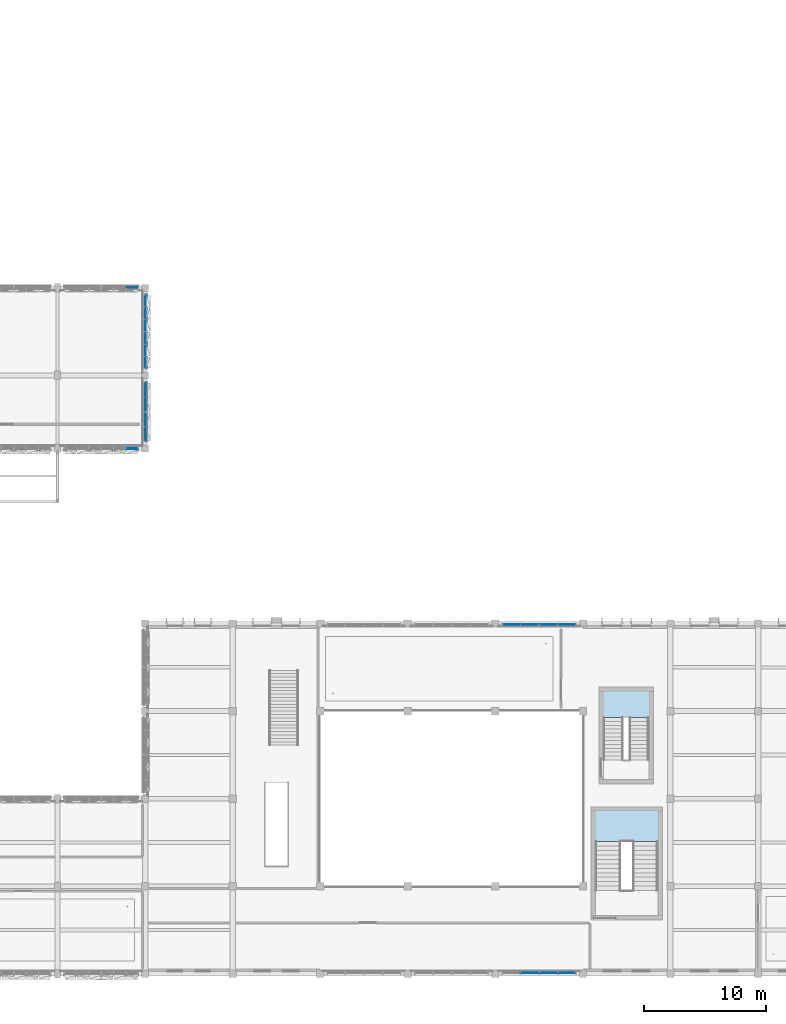
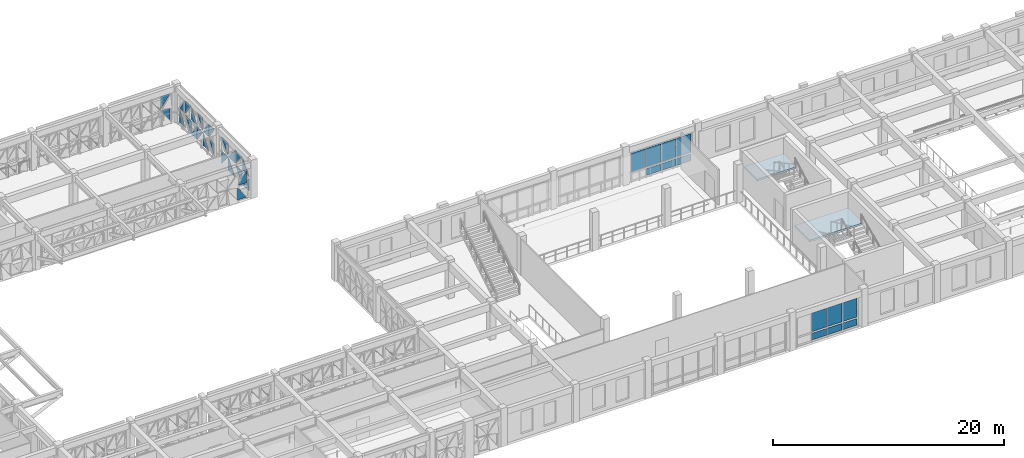
# One storey, part 37 of 88: 37 plates, 2 slabs, 8 elements without a shape of their own.
"""IFC4 building model written with IfcOpenShell, lengths in metres."""

from ifc_helpers import new_model, si_unit, direction, frame, origin, origin_2d, place, context, subcontext, project, spatial, polyline, rectangle, outline, extrude, material, layer, layer_set, type_object, element, aggregate, save


model = new_model("IFC4")

# Units and contexts
model_context = context("Model", 3, precision=1e-05, world=origin(), true_north=direction((0.0, 1.0)))
body_context = subcontext(model_context, "Body", "Model", "MODEL_VIEW")
ifc_project = project(units=[si_unit("LENGTHUNIT", "METRE"), si_unit("AREAUNIT", "SQUARE_METRE"), si_unit("VOLUMEUNIT", "CUBIC_METRE"), si_unit("PLANEANGLEUNIT", "RADIAN"), si_unit("MASSUNIT", "GRAM", prefix="KILO")], contexts=[model_context])

# Site, building, storey
site_placement = place(None, origin())
site = spatial("IfcSite", under=ifc_project, at=site_placement, CompositionType="ELEMENT")
building_placement = place(site_placement, origin())
building = spatial("IfcBuilding", under=site, at=building_placement, Name="Alvorim Cloister Faculty of Sciences", CompositionType="ELEMENT")
storey_placement = place(building_placement, frame((0.0, 0.0, 4.5)))
storey = spatial("IfcBuildingStorey", under=building, at=storey_placement, Name="L01", CompositionType="ELEMENT", Elevation=4.5)

# Curtain wall, plates
ifc_material_1 = material(Name="Aluminium and Low-E Glass Curtain Wall", Category="aluminium")
curtain_wall_type_1 = type_object("IfcCurtainWallType", Name="CW-TRI-6120x3170", PredefinedType="USERDEFINED", material=ifc_material_1)
curtain_wall_1_placement = place(storey_placement, origin())
curtain_wall_1 = element("IfcCurtainWall", 1, at=curtain_wall_1_placement, inside=storey, type_object=curtain_wall_type_1, Name="L01 Diagonal Cassette Curtain Wall CW-0016", ObjectType="UNITISED CURTAIN WALL", PredefinedType="USERDEFINED")
ifc_material_2 = material(Name="Double Low-E Laminated Glass", Category="glass")
ifc_layer_1 = layer(ifc_material_2, 0.0400390625)
ifc_layer_set_1 = layer_set([ifc_layer_1], Name="Double Low-E Laminated Glass")
plate_type = type_object("IfcPlateType", Name="PN-GLZ-40", PredefinedType="CURTAIN_PANEL", material=ifc_layer_set_1)
plate_1_placement = place(storey_placement, frame((63.277587890625, 56.425048828125, 0.159912109375), z_axis=(0.0, 0.0, 1.0), x_axis=(1.0, 0.0, 0.0)))
plate_1 = element("IfcPlate", 2, at=plate_1_placement, type_object=plate_type, Name="Diagonal Glazed Triangle TRI-TR", PredefinedType="CURTAIN_PANEL", context=body_context, shape_type="SweptSolid", body=[
    extrude(outline(polyline([(0.907470703125, 0.001953125), (0.907470703125, 1.344970703125), (0.001953125, 1.344970703125), (0.907470703125, 0.001953125)])), frame((0.0, 0.02490234375, 0.0), z_axis=(0.0, -1.0, 0.0), x_axis=(1.0, 0.0, 0.0)), (0.0, 0.0, 1.0), 0.050048828125),
])
plate_2_placement = place(storey_placement, frame((63.277587890625, 56.425048828125, 1.6650390625), z_axis=(0.0, 0.0, 1.0), x_axis=(1.0, 0.0, 0.0)))
plate_2 = element("IfcPlate", 3, at=plate_2_placement, type_object=plate_type, Name="Diagonal Glazed Triangle TRI-TL", PredefinedType="CURTAIN_PANEL", context=body_context, shape_type="SweptSolid", body=[
    extrude(outline(polyline([(0.905517578125, 1.344970703125), (0.0, 1.344970703125), (0.0, 0.001953125), (0.905517578125, 1.344970703125)])), frame((0.0, 0.02490234375, 0.0), z_axis=(0.0, -1.0, 0.0), x_axis=(1.0, 0.0, 0.0)), (0.0, 0.0, 1.0), 0.050048828125),
])
aggregate(curtain_wall_1, [plate_1, plate_2])

curtain_wall_2_placement = place(storey_placement, origin())
curtain_wall_2 = element("IfcCurtainWall", 4, at=curtain_wall_2_placement, inside=storey, type_object=curtain_wall_type_1, Name="L01 Diagonal Cassette Curtain Wall CW-0017", ObjectType="UNITISED CURTAIN WALL", PredefinedType="USERDEFINED")
plate_3_placement = place(storey_placement, frame((64.824951171875, 49.81494140625, 0.159912109375), z_axis=(0.0, 0.0, 1.0), x_axis=(0.0, 1.0, 0.0)))
plate_3 = element("IfcPlate", 5, at=plate_3_placement, type_object=plate_type, Name="Diagonal Glazed Triangle TRI-TL", PredefinedType="CURTAIN_PANEL", context=body_context, shape_type="SweptSolid", body=[
    extrude(outline(polyline([(0.905517578125, 1.344970703125), (0.0, 1.344970703125), (0.0, 0.001953125), (0.905517578125, 1.344970703125)])), frame((0.0, 0.02490234375, 0.0), z_axis=(0.0, -1.0, 0.0), x_axis=(1.0, 0.0, 0.0)), (0.0, 0.0, 1.0), 0.050048828125),
])
plate_4_placement = place(storey_placement, frame((64.824951171875, 49.81494140625, 1.6650390625), z_axis=(0.0, 0.0, 1.0), x_axis=(0.0, 1.0, 0.0)))
plate_4 = element("IfcPlate", 6, at=plate_4_placement, type_object=plate_type, Name="Diagonal Glazed Triangle TRI-TR", PredefinedType="CURTAIN_PANEL", context=body_context, shape_type="SweptSolid", body=[
    extrude(outline(polyline([(0.907470703125, 0.001953125), (0.907470703125, 1.344970703125), (0.001953125, 1.344970703125), (0.907470703125, 0.001953125)])), frame((0.0, 0.02490234375, 0.0), z_axis=(0.0, -1.0, 0.0), x_axis=(1.0, 0.0, 0.0)), (0.0, 0.0, 1.0), 0.050048828125),
])
plate_5_placement = place(storey_placement, frame((64.824951171875, 50.797607421875, 0.159912109375), z_axis=(0.0, 0.0, 1.0), x_axis=(0.0, 1.0, 0.0)))
plate_5 = element("IfcPlate", 7, at=plate_5_placement, type_object=plate_type, Name="Diagonal Glazed Triangle TRI-BR", PredefinedType="CURTAIN_PANEL", context=body_context, shape_type="SweptSolid", body=[
    extrude(outline(polyline([(0.001953125, 0.0), (0.945068359375, 0.0), (0.945068359375, 1.343017578125), (0.001953125, 0.0)])), frame((0.0, 0.02490234375, 0.0), z_axis=(0.0, -1.0, 0.0), x_axis=(1.0, 0.0, 0.0)), (0.0, 0.0, 1.0), 0.050048828125),
])
plate_6_placement = place(storey_placement, frame((64.824951171875, 50.797607421875, 1.6650390625), z_axis=(0.0, 0.0, 1.0), x_axis=(0.0, 1.0, 0.0)))
plate_6 = element("IfcPlate", 8, at=plate_6_placement, type_object=plate_type, Name="Diagonal Glazed Triangle TRI-BL", PredefinedType="CURTAIN_PANEL", context=body_context, shape_type="SweptSolid", body=[
    extrude(outline(polyline([(0.0, 0.0), (0.943115234375, 0.0), (0.0, 1.343017578125), (0.0, 0.0)])), frame((0.0, 0.02490234375, 0.0), z_axis=(0.0, -1.0, 0.0), x_axis=(1.0, 0.0, 0.0)), (0.0, 0.0, 1.0), 0.050048828125),
])
plate_7_placement = place(storey_placement, frame((64.824951171875, 51.8173828125, 0.159912109375), z_axis=(0.0, 0.0, 1.0), x_axis=(0.0, 1.0, 0.0)))
plate_7 = element("IfcPlate", 9, at=plate_7_placement, type_object=plate_type, Name="Diagonal Glazed Triangle TRI-TR", PredefinedType="CURTAIN_PANEL", context=body_context, shape_type="SweptSolid", body=[
    extrude(outline(polyline([(0.945068359375, 0.001953125), (0.945068359375, 1.344970703125), (0.001953125, 1.344970703125), (0.945068359375, 0.001953125)])), frame((0.0, 0.02490234375, 0.0), z_axis=(0.0, -1.0, 0.0), x_axis=(1.0, 0.0, 0.0)), (0.0, 0.0, 1.0), 0.050048828125),
])
plate_8_placement = place(storey_placement, frame((64.824951171875, 51.8173828125, 1.6650390625), z_axis=(0.0, 0.0, 1.0), x_axis=(0.0, 1.0, 0.0)))
plate_8 = element("IfcPlate", 10, at=plate_8_placement, type_object=plate_type, Name="Diagonal Glazed Triangle TRI-TL", PredefinedType="CURTAIN_PANEL", context=body_context, shape_type="SweptSolid", body=[
    extrude(outline(polyline([(0.943115234375, 1.344970703125), (0.0, 1.344970703125), (0.0, 0.001953125), (0.943115234375, 1.344970703125)])), frame((0.0, 0.02490234375, 0.0), z_axis=(0.0, -1.0, 0.0), x_axis=(1.0, 0.0, 0.0)), (0.0, 0.0, 1.0), 0.050048828125),
])
plate_9_placement = place(storey_placement, frame((64.824951171875, 52.83740234375, 0.159912109375), z_axis=(0.0, 0.0, 1.0), x_axis=(0.0, 1.0, 0.0)))
plate_9 = element("IfcPlate", 11, at=plate_9_placement, type_object=plate_type, Name="Diagonal Glazed Triangle TRI-BL", PredefinedType="CURTAIN_PANEL", context=body_context, shape_type="SweptSolid", body=[
    extrude(outline(polyline([(0.0, 0.0), (0.943115234375, 0.0), (0.0, 1.343017578125), (0.0, 0.0)])), frame((0.0, 0.02490234375, 0.0), z_axis=(0.0, -1.0, 0.0), x_axis=(1.0, 0.0, 0.0)), (0.0, 0.0, 1.0), 0.050048828125),
])
plate_10_placement = place(storey_placement, frame((64.824951171875, 52.83740234375, 1.6650390625), z_axis=(0.0, 0.0, 1.0), x_axis=(0.0, 1.0, 0.0)))
plate_10 = element("IfcPlate", 12, at=plate_10_placement, type_object=plate_type, Name="Diagonal Glazed Triangle TRI-BR", PredefinedType="CURTAIN_PANEL", context=body_context, shape_type="SweptSolid", body=[
    extrude(outline(polyline([(0.001953125, 0.0), (0.945068359375, 0.0), (0.945068359375, 1.343017578125), (0.001953125, 0.0)])), frame((0.0, 0.02490234375, 0.0), z_axis=(0.0, -1.0, 0.0), x_axis=(1.0, 0.0, 0.0)), (0.0, 0.0, 1.0), 0.050048828125),
])
plate_11_placement = place(storey_placement, frame((64.824951171875, 53.857421875, 0.159912109375), z_axis=(0.0, 0.0, 1.0), x_axis=(0.0, 1.0, 0.0)))
plate_11 = element("IfcPlate", 13, at=plate_11_placement, type_object=plate_type, Name="Diagonal Glazed Triangle TRI-TL", PredefinedType="CURTAIN_PANEL", context=body_context, shape_type="SweptSolid", body=[
    extrude(outline(polyline([(0.943115234375, 1.344970703125), (0.0, 1.344970703125), (0.0, 0.001953125), (0.943115234375, 1.344970703125)])), frame((0.0, 0.02490234375, 0.0), z_axis=(0.0, -1.0, 0.0), x_axis=(1.0, 0.0, 0.0)), (0.0, 0.0, 1.0), 0.050048828125),
])
plate_12_placement = place(storey_placement, frame((64.824951171875, 53.857421875, 1.6650390625), z_axis=(0.0, 0.0, 1.0), x_axis=(0.0, 1.0, 0.0)))
plate_12 = element("IfcPlate", 14, at=plate_12_placement, type_object=plate_type, Name="Diagonal Glazed Triangle TRI-TR", PredefinedType="CURTAIN_PANEL", context=body_context, shape_type="SweptSolid", body=[
    extrude(outline(polyline([(0.945068359375, 0.001953125), (0.945068359375, 1.344970703125), (0.001953125, 1.344970703125), (0.945068359375, 0.001953125)])), frame((0.0, 0.02490234375, 0.0), z_axis=(0.0, -1.0, 0.0), x_axis=(1.0, 0.0, 0.0)), (0.0, 0.0, 1.0), 0.050048828125),
])
plate_13_placement = place(storey_placement, frame((64.824951171875, 54.87744140625, 0.159912109375), z_axis=(0.0, 0.0, 1.0), x_axis=(0.0, 1.0, 0.0)))
plate_13 = element("IfcPlate", 15, at=plate_13_placement, type_object=plate_type, Name="Diagonal Glazed Triangle TRI-BR", PredefinedType="CURTAIN_PANEL", context=body_context, shape_type="SweptSolid", body=[
    extrude(outline(polyline([(0.001953125, 0.0), (0.907470703125, 0.0), (0.907470703125, 1.343017578125), (0.001953125, 0.0)])), frame((0.0, 0.02490234375, 0.0), z_axis=(0.0, -1.0, 0.0), x_axis=(1.0, 0.0, 0.0)), (0.0, 0.0, 1.0), 0.050048828125),
])
plate_14_placement = place(storey_placement, frame((64.824951171875, 54.87744140625, 1.6650390625), z_axis=(0.0, 0.0, 1.0), x_axis=(0.0, 1.0, 0.0)))
plate_14 = element("IfcPlate", 16, at=plate_14_placement, type_object=plate_type, Name="Diagonal Glazed Triangle TRI-BL", PredefinedType="CURTAIN_PANEL", context=body_context, shape_type="SweptSolid", body=[
    extrude(outline(polyline([(0.0, 0.0), (0.905517578125, 0.0), (0.0, 1.343017578125), (0.0, 0.0)])), frame((0.0, 0.02490234375, 0.0), z_axis=(0.0, -1.0, 0.0), x_axis=(1.0, 0.0, 0.0)), (0.0, 0.0, 1.0), 0.050048828125),
])
aggregate(curtain_wall_2, [plate_3, plate_4, plate_5, plate_6, plate_7, plate_8, plate_9, plate_10, plate_11, plate_12, plate_13, plate_14])

curtain_wall_type_2 = type_object("IfcCurtainWallType", Name="CW-TRI-4920x3170", PredefinedType="USERDEFINED", material=ifc_material_1)
curtain_wall_3_placement = place(storey_placement, origin())
curtain_wall_3 = element("IfcCurtainWall", 17, at=curtain_wall_3_placement, inside=storey, type_object=curtain_wall_type_2, Name="L01 Diagonal Cassette Curtain Wall CW-0018", ObjectType="UNITISED CURTAIN WALL", PredefinedType="USERDEFINED")
plate_15_placement = place(storey_placement, frame((64.824951171875, 43.81494140625, 0.159912109375), z_axis=(0.0, 0.0, 1.0), x_axis=(0.0, 1.0, 0.0)))
plate_15 = element("IfcPlate", 18, at=plate_15_placement, type_object=plate_type, Name="Diagonal Glazed Triangle TRI-BL", PredefinedType="CURTAIN_PANEL", context=body_context, shape_type="SweptSolid", body=[
    extrude(outline(polyline([(0.0, 0.0), (1.115478515625, 0.0), (0.0, 1.343017578125), (0.0, 0.0)])), frame((0.0, 0.02490234375, 0.0), z_axis=(0.0, -1.0, 0.0), x_axis=(1.0, 0.0, 0.0)), (0.0, 0.0, 1.0), 0.050048828125),
])
plate_16_placement = place(storey_placement, frame((64.824951171875, 43.81494140625, 1.6650390625), z_axis=(0.0, 0.0, 1.0), x_axis=(0.0, 1.0, 0.0)))
plate_16 = element("IfcPlate", 19, at=plate_16_placement, type_object=plate_type, Name="Diagonal Glazed Triangle TRI-BR", PredefinedType="CURTAIN_PANEL", context=body_context, shape_type="SweptSolid", body=[
    extrude(outline(polyline([(0.001953125, 0.0), (1.117431640625, 0.0), (1.117431640625, 1.343017578125), (0.001953125, 0.0)])), frame((0.0, 0.02490234375, 0.0), z_axis=(0.0, -1.0, 0.0), x_axis=(1.0, 0.0, 0.0)), (0.0, 0.0, 1.0), 0.050048828125),
])
plate_17_placement = place(storey_placement, frame((64.824951171875, 45.007568359375, 0.159912109375), z_axis=(0.0, 0.0, 1.0), x_axis=(0.0, 1.0, 0.0)))
plate_17 = element("IfcPlate", 20, at=plate_17_placement, type_object=plate_type, Name="Diagonal Glazed Triangle TRI-TL", PredefinedType="CURTAIN_PANEL", context=body_context, shape_type="SweptSolid", body=[
    extrude(outline(polyline([(1.153076171875, 1.344970703125), (0.0, 1.344970703125), (0.0, 0.001953125), (1.153076171875, 1.344970703125)])), frame((0.0, 0.02490234375, 0.0), z_axis=(0.0, -1.0, 0.0), x_axis=(1.0, 0.0, 0.0)), (0.0, 0.0, 1.0), 0.050048828125),
])
plate_18_placement = place(storey_placement, frame((64.824951171875, 45.007568359375, 1.6650390625), z_axis=(0.0, 0.0, 1.0), x_axis=(0.0, 1.0, 0.0)))
plate_18 = element("IfcPlate", 21, at=plate_18_placement, type_object=plate_type, Name="Diagonal Glazed Triangle TRI-TR", PredefinedType="CURTAIN_PANEL", context=body_context, shape_type="SweptSolid", body=[
    extrude(outline(polyline([(1.155029296875, 0.001953125), (1.155029296875, 1.344970703125), (0.001953125, 1.344970703125), (1.155029296875, 0.001953125)])), frame((0.0, 0.02490234375, 0.0), z_axis=(0.0, -1.0, 0.0), x_axis=(1.0, 0.0, 0.0)), (0.0, 0.0, 1.0), 0.050048828125),
])
plate_19_placement = place(storey_placement, frame((64.824951171875, 46.237548828125, 0.159912109375), z_axis=(0.0, 0.0, 1.0), x_axis=(0.0, 1.0, 0.0)))
plate_19 = element("IfcPlate", 22, at=plate_19_placement, type_object=plate_type, Name="Diagonal Glazed Triangle TRI-BR", PredefinedType="CURTAIN_PANEL", context=body_context, shape_type="SweptSolid", body=[
    extrude(outline(polyline([(0.001953125, 0.0), (1.155029296875, 0.0), (1.155029296875, 1.343017578125), (0.001953125, 0.0)])), frame((0.0, 0.02490234375, 0.0), z_axis=(0.0, -1.0, 0.0), x_axis=(1.0, 0.0, 0.0)), (0.0, 0.0, 1.0), 0.050048828125),
])
plate_20_placement = place(storey_placement, frame((64.824951171875, 46.237548828125, 1.6650390625), z_axis=(0.0, 0.0, 1.0), x_axis=(0.0, 1.0, 0.0)))
plate_20 = element("IfcPlate", 23, at=plate_20_placement, type_object=plate_type, Name="Diagonal Glazed Triangle TRI-BL", PredefinedType="CURTAIN_PANEL", context=body_context, shape_type="SweptSolid", body=[
    extrude(outline(polyline([(0.0, 0.0), (1.153076171875, 0.0), (0.0, 1.343017578125), (0.0, 0.0)])), frame((0.0, 0.02490234375, 0.0), z_axis=(0.0, -1.0, 0.0), x_axis=(1.0, 0.0, 0.0)), (0.0, 0.0, 1.0), 0.050048828125),
])
plate_21_placement = place(storey_placement, frame((64.824951171875, 47.467529296875, 0.159912109375), z_axis=(0.0, 0.0, 1.0), x_axis=(0.0, 1.0, 0.0)))
plate_21 = element("IfcPlate", 24, at=plate_21_placement, type_object=plate_type, Name="Diagonal Glazed Triangle TRI-TR", PredefinedType="CURTAIN_PANEL", context=body_context, shape_type="SweptSolid", body=[
    extrude(outline(polyline([(1.117431640625, 0.001953125), (1.117431640625, 1.344970703125), (0.001953125, 1.344970703125), (1.117431640625, 0.001953125)])), frame((0.0, 0.02490234375, 0.0), z_axis=(0.0, -1.0, 0.0), x_axis=(1.0, 0.0, 0.0)), (0.0, 0.0, 1.0), 0.050048828125),
])
plate_22_placement = place(storey_placement, frame((64.824951171875, 47.467529296875, 1.6650390625), z_axis=(0.0, 0.0, 1.0), x_axis=(0.0, 1.0, 0.0)))
plate_22 = element("IfcPlate", 25, at=plate_22_placement, type_object=plate_type, Name="Diagonal Glazed Triangle TRI-TL", PredefinedType="CURTAIN_PANEL", context=body_context, shape_type="SweptSolid", body=[
    extrude(outline(polyline([(1.115478515625, 1.344970703125), (0.0, 1.344970703125), (0.0, 0.001953125), (1.115478515625, 1.344970703125)])), frame((0.0, 0.02490234375, 0.0), z_axis=(0.0, -1.0, 0.0), x_axis=(1.0, 0.0, 0.0)), (0.0, 0.0, 1.0), 0.050048828125),
])
aggregate(curtain_wall_3, [plate_15, plate_16, plate_17, plate_18, plate_19, plate_20, plate_21, plate_22])

curtain_wall_4_placement = place(storey_placement, origin())
curtain_wall_4 = element("IfcCurtainWall", 26, at=curtain_wall_4_placement, inside=storey, type_object=curtain_wall_type_1, Name="L01 Diagonal Cassette Curtain Wall CW-0019", ObjectType="UNITISED CURTAIN WALL", PredefinedType="USERDEFINED")
plate_23_placement = place(storey_placement, frame((63.277587890625, 43.175048828125, 0.159912109375), z_axis=(0.0, 0.0, 1.0), x_axis=(1.0, 0.0, 0.0)))
plate_23 = element("IfcPlate", 27, at=plate_23_placement, type_object=plate_type, Name="Diagonal Glazed Triangle TRI-BL", PredefinedType="CURTAIN_PANEL", context=body_context, shape_type="SweptSolid", body=[
    extrude(outline(polyline([(0.0, 0.0), (0.905517578125, 0.0), (0.0, 1.343017578125), (0.0, 0.0)])), frame((0.0, 0.02490234375, 0.0), z_axis=(0.0, -1.0, 0.0), x_axis=(1.0, 0.0, 0.0)), (0.0, 0.0, 1.0), 0.050048828125),
])
plate_24_placement = place(storey_placement, frame((63.277587890625, 43.175048828125, 1.6650390625), z_axis=(0.0, 0.0, 1.0), x_axis=(1.0, 0.0, 0.0)))
plate_24 = element("IfcPlate", 28, at=plate_24_placement, type_object=plate_type, Name="Diagonal Glazed Triangle TRI-BR", PredefinedType="CURTAIN_PANEL", context=body_context, shape_type="SweptSolid", body=[
    extrude(outline(polyline([(0.001953125, 0.0), (0.907470703125, 0.0), (0.907470703125, 1.343017578125), (0.001953125, 0.0)])), frame((0.0, 0.02490234375, 0.0), z_axis=(0.0, -1.0, 0.0), x_axis=(1.0, 0.0, 0.0)), (0.0, 0.0, 1.0), 0.050048828125),
])
aggregate(curtain_wall_4, [plate_23, plate_24])

curtain_wall_type_3 = type_object("IfcCurtainWallType", Name="CW-GLZ-6120x3170", PredefinedType="USERDEFINED", material=ifc_material_1)
curtain_wall_5_placement = place(storey_placement, origin())
curtain_wall_5 = element("IfcCurtainWall", 29, at=curtain_wall_5_placement, inside=storey, type_object=curtain_wall_type_3, Name="L01 Entrance and Atrium Glazed Curtain Wall CW-0036", ObjectType="UNITISED CURTAIN WALL", PredefinedType="USERDEFINED")
plate_25_placement = place(storey_placement, frame((94.923828125, 28.7099609375, 1.030029296875), z_axis=(0.0, 0.0, 1.0), x_axis=(1.0, 0.0, 0.0)))
plate_25 = element("IfcPlate", 30, at=plate_25_placement, type_object=plate_type, Name="CW-04 panel 1.2", PredefinedType="CURTAIN_PANEL", context=body_context, shape_type="SweptSolid", body=[
    extrude(rectangle(XDim=1.41748046875, YDim=0.0400390625, at=origin_2d()), origin(), (0.0, 0.0, 1.0), 1.97998046875),
])
plate_26_placement = place(storey_placement, frame((96.43505859375, 28.7099609375, 0.159912109375), z_axis=(0.0, 0.0, 1.0), x_axis=(1.0, 0.0, 0.0)))
plate_26 = element("IfcPlate", 31, at=plate_26_placement, type_object=plate_type, Name="CW-04 panel 2.1", PredefinedType="CURTAIN_PANEL", context=body_context, shape_type="SweptSolid", body=[
    extrude(rectangle(XDim=1.455078125, YDim=0.0400390625, at=origin_2d()), origin(), (0.0, 0.0, 1.0), 0.7099609375),
])
plate_27_placement = place(storey_placement, frame((96.43505859375, 28.7099609375, 1.030029296875), z_axis=(0.0, 0.0, 1.0), x_axis=(1.0, 0.0, 0.0)))
plate_27 = element("IfcPlate", 32, at=plate_27_placement, type_object=plate_type, Name="CW-04 panel 2.2", PredefinedType="CURTAIN_PANEL", context=body_context, shape_type="SweptSolid", body=[
    extrude(rectangle(XDim=1.455078125, YDim=0.0400390625, at=origin_2d()), origin(), (0.0, 0.0, 1.0), 1.97998046875),
])
plate_28_placement = place(storey_placement, frame((97.965087890625, 28.7099609375, 0.159912109375), z_axis=(0.0, 0.0, 1.0), x_axis=(1.0, 0.0, 0.0)))
plate_28 = element("IfcPlate", 33, at=plate_28_placement, type_object=plate_type, Name="CW-04 panel 3.1", PredefinedType="CURTAIN_PANEL", context=body_context, shape_type="SweptSolid", body=[
    extrude(rectangle(XDim=1.455078125, YDim=0.0400390625, at=origin_2d()), origin(), (0.0, 0.0, 1.0), 0.7099609375),
])
plate_29_placement = place(storey_placement, frame((97.965087890625, 28.7099609375, 1.030029296875), z_axis=(0.0, 0.0, 1.0), x_axis=(1.0, 0.0, 0.0)))
plate_29 = element("IfcPlate", 34, at=plate_29_placement, type_object=plate_type, Name="CW-04 panel 3.2", PredefinedType="CURTAIN_PANEL", context=body_context, shape_type="SweptSolid", body=[
    extrude(rectangle(XDim=1.455078125, YDim=0.0400390625, at=origin_2d()), origin(), (0.0, 0.0, 1.0), 1.97998046875),
])
plate_30_placement = place(storey_placement, frame((99.476318359375, 28.7099609375, 0.159912109375), z_axis=(0.0, 0.0, 1.0), x_axis=(1.0, 0.0, 0.0)))
plate_30 = element("IfcPlate", 35, at=plate_30_placement, type_object=plate_type, Name="CW-04 panel 4.1", PredefinedType="CURTAIN_PANEL", context=body_context, shape_type="SweptSolid", body=[
    extrude(rectangle(XDim=1.41748046875, YDim=0.0400390625, at=origin_2d()), origin(), (0.0, 0.0, 1.0), 0.7099609375),
])
plate_31_placement = place(storey_placement, frame((99.476318359375, 28.7099609375, 1.030029296875), z_axis=(0.0, 0.0, 1.0), x_axis=(1.0, 0.0, 0.0)))
plate_31 = element("IfcPlate", 36, at=plate_31_placement, type_object=plate_type, Name="CW-04 panel 4.2", PredefinedType="CURTAIN_PANEL", context=body_context, shape_type="SweptSolid", body=[
    extrude(rectangle(XDim=1.41748046875, YDim=0.0400390625, at=origin_2d()), origin(), (0.0, 0.0, 1.0), 1.97998046875),
])
aggregate(curtain_wall_5, [plate_25, plate_26, plate_27, plate_28, plate_29, plate_30, plate_31])

curtain_wall_6_placement = place(storey_placement, origin())
curtain_wall_6 = element("IfcCurtainWall", 37, at=curtain_wall_6_placement, inside=storey, type_object=curtain_wall_type_3, Name="L01 Entrance and Atrium Glazed Curtain Wall CW-0037", ObjectType="UNITISED CURTAIN WALL", PredefinedType="USERDEFINED")
plate_32_placement = place(storey_placement, frame((96.43505859375, 0.090087890625, 0.159912109375), z_axis=(0.0, 0.0, 1.0), x_axis=(1.0, 0.0, 0.0)))
plate_32 = element("IfcPlate", 38, at=plate_32_placement, type_object=plate_type, Name="CW-04 panel 2.1", PredefinedType="CURTAIN_PANEL", context=body_context, shape_type="SweptSolid", body=[
    extrude(rectangle(XDim=1.455078125, YDim=0.0400390625, at=origin_2d()), origin(), (0.0, 0.0, 1.0), 0.7099609375),
])
plate_33_placement = place(storey_placement, frame((96.43505859375, 0.090087890625, 1.030029296875), z_axis=(0.0, 0.0, 1.0), x_axis=(1.0, 0.0, 0.0)))
plate_33 = element("IfcPlate", 39, at=plate_33_placement, type_object=plate_type, Name="CW-04 panel 2.2", PredefinedType="CURTAIN_PANEL", context=body_context, shape_type="SweptSolid", body=[
    extrude(rectangle(XDim=1.455078125, YDim=0.0400390625, at=origin_2d()), origin(), (0.0, 0.0, 1.0), 1.97998046875),
])
plate_34_placement = place(storey_placement, frame((97.965087890625, 0.090087890625, 0.159912109375), z_axis=(0.0, 0.0, 1.0), x_axis=(1.0, 0.0, 0.0)))
plate_34 = element("IfcPlate", 40, at=plate_34_placement, type_object=plate_type, Name="CW-04 panel 3.1", PredefinedType="CURTAIN_PANEL", context=body_context, shape_type="SweptSolid", body=[
    extrude(rectangle(XDim=1.455078125, YDim=0.0400390625, at=origin_2d()), origin(), (0.0, 0.0, 1.0), 0.7099609375),
])
plate_35_placement = place(storey_placement, frame((97.965087890625, 0.090087890625, 1.030029296875), z_axis=(0.0, 0.0, 1.0), x_axis=(1.0, 0.0, 0.0)))
plate_35 = element("IfcPlate", 41, at=plate_35_placement, type_object=plate_type, Name="CW-04 panel 3.2", PredefinedType="CURTAIN_PANEL", context=body_context, shape_type="SweptSolid", body=[
    extrude(rectangle(XDim=1.455078125, YDim=0.0400390625, at=origin_2d()), origin(), (0.0, 0.0, 1.0), 1.97998046875),
])
plate_36_placement = place(storey_placement, frame((99.476318359375, 0.090087890625, 0.159912109375), z_axis=(0.0, 0.0, 1.0), x_axis=(1.0, 0.0, 0.0)))
plate_36 = element("IfcPlate", 42, at=plate_36_placement, type_object=plate_type, Name="CW-04 panel 4.1", PredefinedType="CURTAIN_PANEL", context=body_context, shape_type="SweptSolid", body=[
    extrude(rectangle(XDim=1.41748046875, YDim=0.0400390625, at=origin_2d()), origin(), (0.0, 0.0, 1.0), 0.7099609375),
])
plate_37_placement = place(storey_placement, frame((99.476318359375, 0.090087890625, 1.030029296875), z_axis=(0.0, 0.0, 1.0), x_axis=(1.0, 0.0, 0.0)))
plate_37 = element("IfcPlate", 43, at=plate_37_placement, type_object=plate_type, Name="CW-04 panel 4.2", PredefinedType="CURTAIN_PANEL", context=body_context, shape_type="SweptSolid", body=[
    extrude(rectangle(XDim=1.41748046875, YDim=0.0400390625, at=origin_2d()), origin(), (0.0, 0.0, 1.0), 1.97998046875),
])
aggregate(curtain_wall_6, [plate_32, plate_33, plate_34, plate_35, plate_36, plate_37])

# Stair, slab
ifc_material_3 = material(Name="Concrete C40", Category="concrete")
stair_type_1 = type_object("IfcStairType", Name="STR-ST-06-1600x4050", PredefinedType="HALF_TURN_STAIR", material=ifc_material_3)
stair_1_placement = place(storey_placement, origin())
stair_1 = element("IfcStair", 44, at=stair_1_placement, inside=storey, type_object=stair_type_1, Name="L01 Enclosed Smoke-Proof Stair ST-06", PredefinedType="HALF_TURN_STAIR")
ifc_layer_2 = layer(ifc_material_3, 0.199951171875)
ifc_layer_set_2 = layer_set([ifc_layer_2], Name="Concrete C40")
slab_type = type_object("IfcSlabType", Name="SL-LAND-200", PredefinedType="LANDING", material=ifc_layer_set_2)
slab_1_placement = place(storey_placement, frame((0.0, 0.0, 1.824951171875)))
slab_1 = element("IfcSlab", 45, at=slab_1_placement, type_object=slab_type, Name="ST-06 landing 1", PredefinedType="LANDING", context=body_context, shape_type="SweptSolid", body=[
    extrude(outline(polyline([(106.340087890625, 21.06494140625), (106.340087890625, 23.320068359375), (102.3798828125, 23.320068359375), (102.3798828125, 21.06494140625), (106.340087890625, 21.06494140625)])), origin(), (0.0, 0.0, 1.0), 0.199951171875),
])
aggregate(stair_1, [slab_1])

stair_type_2 = type_object("IfcStairType", Name="STR-ST-12-2050x4050", PredefinedType="HALF_TURN_STAIR", material=ifc_material_3)
stair_2_placement = place(storey_placement, origin())
stair_2 = element("IfcStair", 46, at=stair_2_placement, inside=storey, type_object=stair_type_2, Name="L01 Enclosed Smoke-Proof Stair ST-12", PredefinedType="HALF_TURN_STAIR")
slab_2_placement = place(storey_placement, frame((0.0, 0.0, 1.824951171875)))
slab_2 = element("IfcSlab", 47, at=slab_2_placement, type_object=slab_type, Name="ST-12 landing 1", PredefinedType="LANDING", context=body_context, shape_type="SweptSolid", body=[
    extrude(outline(polyline([(107.080078125, 10.864990234375), (107.080078125, 13.469970703125), (101.719970703125, 13.469970703125), (101.719970703125, 10.864990234375), (107.080078125, 10.864990234375)])), origin(), (0.0, 0.0, 1.0), 0.199951171875),
])
aggregate(stair_2, [slab_2])

save(model, "model.ifc")
